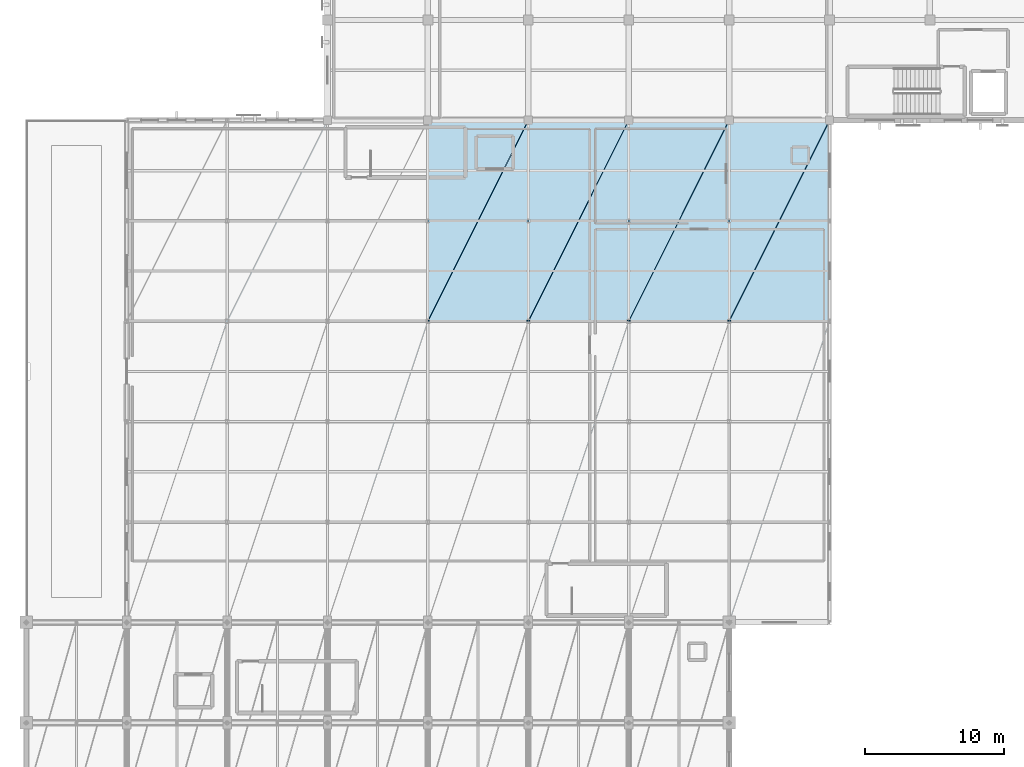
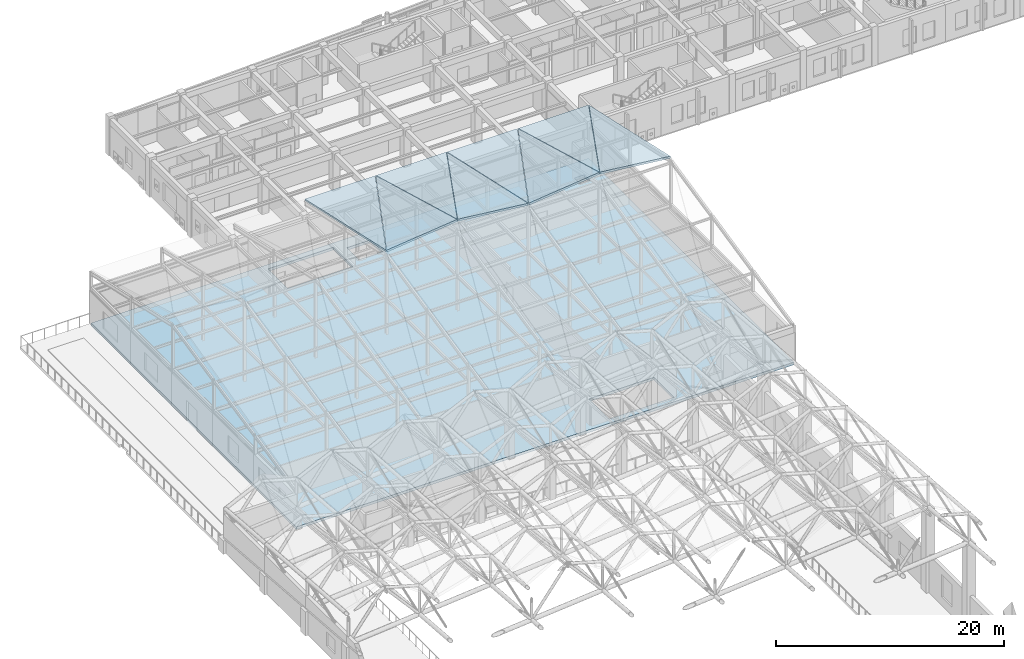
# One storey, part 70 of 113: 9 slabs.
"""IFC4 building model written with IfcOpenShell, lengths in metres."""

from ifc_helpers import new_model, si_unit, direction, frame, origin, place, context, subcontext, project, spatial, polyline, outline, extrude, material, layer, layer_set, type_object, element, save


model = new_model("IFC4")

# Units and contexts
model_context = context("Model", 3, precision=1e-05, world=origin(), true_north=direction((0.0, 1.0)))
body_context = subcontext(model_context, "Body", "Model", "MODEL_VIEW")
ifc_project = project(units=[si_unit("LENGTHUNIT", "METRE"), si_unit("AREAUNIT", "SQUARE_METRE"), si_unit("VOLUMEUNIT", "CUBIC_METRE"), si_unit("PLANEANGLEUNIT", "RADIAN"), si_unit("MASSUNIT", "GRAM", prefix="KILO")], contexts=[model_context])

# Site, building, storey
site_placement = place(None, origin())
site = spatial("IfcSite", under=ifc_project, at=site_placement, CompositionType="ELEMENT")
building_placement = place(site_placement, origin())
building = spatial("IfcBuilding", under=site, at=building_placement, Name="Carrowvane Square Congress Hotel", CompositionType="ELEMENT")
storey_placement = place(building_placement, frame((0.0, 0.0, 15.0)))
storey = spatial("IfcBuildingStorey", under=building, at=storey_placement, Name="L03", CompositionType="ELEMENT", Elevation=15.0)

# Slabs
ifc_material_1 = material(Name="Concrete C35/45", Category="concrete")
ifc_layer_1 = layer(ifc_material_1, 0.280029296875)
ifc_layer_set_1 = layer_set([ifc_layer_1], Name="Concrete C35/45")
slab_type_1 = type_object("IfcSlabType", Name="SLB-FLR-280", PredefinedType="FLOOR", material=ifc_layer_set_1)
slab_1_placement = place(storey_placement, frame((0.0, 0.0, -0.280029296875)))
element("IfcSlab", 1, at=slab_1_placement, inside=storey, type_object=slab_type_1, Name="L03 V4 structural slab", PredefinedType="FLOOR", context=body_context, shape_type="SweptSolid", body=[
    extrude(outline(polyline([(18.800048828125, 55.800048828125), (69.199951171875, 55.800048828125), (69.199951171875, 91.800048828125), (18.800048828125, 91.800048828125), (18.800048828125, 55.800048828125)]), holes=[polyline([(36.389892578125, 87.800048828125), (43.0, 87.800048828125), (43.0, 91.199951171875), (36.389892578125, 91.199951171875), (36.389892578125, 87.800048828125)]), polyline([(50.820068359375, 56.39990234375), (57.39990234375, 56.39990234375), (57.39990234375, 59.919921875), (50.820068359375, 59.919921875), (50.820068359375, 56.39990234375)]), polyline([(66.60009765625, 88.800048828125), (67.60009765625, 88.800048828125), (67.60009765625, 89.800048828125), (66.60009765625, 89.800048828125), (66.60009765625, 88.800048828125)]), polyline([(44.0, 88.449951171875), (46.39990234375, 88.449951171875), (46.39990234375, 90.550048828125), (44.0, 90.550048828125), (44.0, 88.449951171875)])]), origin(), (0.0, 0.0, 1.0), 0.280029296875),
])
ifc_material_2 = material(Name="Concrete C35/45", Category="concrete")
ifc_layer_2 = layer(ifc_material_2, 0.199951171875)
ifc_layer_set_2 = layer_set([ifc_layer_2], Name="Concrete C35/45")
slab_type_2 = type_object("IfcSlabType", Name="SLB-ROOF-200", PredefinedType="ROOF", material=ifc_layer_set_2)
slab_2_placement = place(storey_placement, frame((40.435302734375, 77.435302734375, 8.935302734375), z_axis=(-0.106438848025, 0.266789394497, 0.957859170554), x_axis=(0.993922159723, 0.00132500305, 0.110077176466)))
element("IfcSlab", 2, at=slab_2_placement, inside=storey, type_object=slab_type_2, Name="Thermal Spa folded triangle roof 15", PredefinedType="ROOF", context=body_context, shape_type="SweptSolid", body=[
    extrude(outline(polyline([(0.0, 0.0), (7.186009401748436, 2.7755575615628914e-17), (6.77664920180982, 14.845265357427952), (0.0, 0.0)])), origin(), (0.0, 0.0, -1.0), 0.199951171875),
])
slab_3_placement = place(storey_placement, frame((40.412109375, 77.448486328125, 8.930419921875), z_axis=(1.7592696e-05, 0.217621695602, 0.97603319477), x_axis=(0.438304757279, 0.877282747793, -0.195611656532)))
element("IfcSlab", 3, at=slab_3_placement, inside=storey, type_object=slab_type_2, Name="Thermal Spa folded triangle roof 16", PredefinedType="ROOF", context=body_context, shape_type="SweptSolid", body=[
    extrude(outline(polyline([(0.0, 0.0), (16.318754865966326, 0.0), (13.17966723815239, 6.415540079085067), (0.0, 0.0)])), origin(), (0.0, 0.0, -1.0), 0.199951171875),
])
slab_4_placement = place(storey_placement, frame((47.63525390625, 77.435302734375, 9.7294921875), z_axis=(0.107807511517, 0.216362142853, 0.970342704203), x_axis=(0.993851335693, 0.001324908634, -0.110714800992)))
element("IfcSlab", 4, at=slab_4_placement, inside=storey, type_object=slab_type_2, Name="Thermal Spa folded triangle roof 19", PredefinedType="ROOF", context=body_context, shape_type="SweptSolid", body=[
    extrude(outline(polyline([(0.0, 0.0), (7.186521492569157, 2.7755575615628914e-17), (7.568976220554389, 14.653235653085165), (0.0, 0.0)])), origin(), (0.0, 0.0, -1.0), 0.199951171875),
])
slab_5_placement = place(storey_placement, frame((47.612060546875, 77.448486328125, 9.727783203125), z_axis=(1.3696689e-05, 0.268314437217, 0.963331387734), x_axis=(0.433679333501, 0.868024795615, -0.241775081205)))
element("IfcSlab", 5, at=slab_5_placement, inside=storey, type_object=slab_type_2, Name="Thermal Spa folded triangle roof 20", PredefinedType="ROOF", context=body_context, shape_type="SweptSolid", body=[
    extrude(outline(polyline([(0.0, 0.0), (16.49280317992369, 9.992007221626409e-16), (13.386618275215406, 6.43153507052473), (0.0, 0.0)])), origin(), (0.0, 0.0, -1.0), 0.199951171875),
])
slab_6_placement = place(storey_placement, frame((54.83544921875, 77.435302734375, 8.935302734375), z_axis=(-0.106442445169, 0.266789293598, 0.95785879893), x_axis=(0.993921747975, 0.001325047794, 0.110080893671)))
element("IfcSlab", 6, at=slab_6_placement, inside=storey, type_object=slab_type_2, Name="Thermal Spa folded triangle roof 23", PredefinedType="ROOF", context=body_context, shape_type="SweptSolid", body=[
    extrude(outline(polyline([(0.0, 0.0), (7.18576674502142, 0.0), (6.776392372983294, 14.845264966623619), (0.0, 0.0)])), origin(), (0.0, 0.0, -1.0), 0.199951171875),
])
slab_7_placement = place(storey_placement, frame((54.81201171875, 77.448486328125, 8.930419921875), z_axis=(1.7592696e-05, 0.217621695602, 0.97603319477), x_axis=(0.438304757279, 0.877282747793, -0.195611656532)))
element("IfcSlab", 7, at=slab_7_placement, inside=storey, type_object=slab_type_2, Name="Thermal Spa folded triangle roof 24", PredefinedType="ROOF", context=body_context, shape_type="SweptSolid", body=[
    extrude(outline(polyline([(0.0, 0.0), (16.318754865966326, 0.0), (13.17966723815239, 6.415540079085067), (0.0, 0.0)])), origin(), (0.0, 0.0, -1.0), 0.199951171875),
])
slab_8_placement = place(storey_placement, frame((62.035400390625, 77.435302734375, 9.7294921875), z_axis=(0.107807511517, 0.216362142853, 0.970342704203), x_axis=(0.993851335693, 0.001324908634, -0.110714800992)))
element("IfcSlab", 8, at=slab_8_placement, inside=storey, type_object=slab_type_2, Name="Thermal Spa folded triangle roof 27", PredefinedType="ROOF", context=body_context, shape_type="SweptSolid", body=[
    extrude(outline(polyline([(0.0, 0.0), (7.186521492569157, 2.7755575615628914e-17), (7.568976220554389, 14.653235653085165), (0.0, 0.0)])), origin(), (0.0, 0.0, -1.0), 0.199951171875),
])
slab_9_placement = place(storey_placement, frame((62.01220703125, 77.448486328125, 9.727783203125), z_axis=(1.3697158e-05, 0.268314437216, 0.963331387734), x_axis=(0.433667314615, 0.868030368027, -0.241776633315)))
element("IfcSlab", 9, at=slab_9_placement, inside=storey, type_object=slab_type_2, Name="Thermal Spa folded triangle roof 28", PredefinedType="ROOF", context=body_context, shape_type="SweptSolid", body=[
    extrude(outline(polyline([(0.0, 0.0), (16.4926973026473, 9.43689570931383e-16), (13.386704060776246, 6.431356513125152), (0.0, 0.0)])), origin(), (0.0, 0.0, -1.0), 0.199951171875),
])

save(model, "model.ifc")
